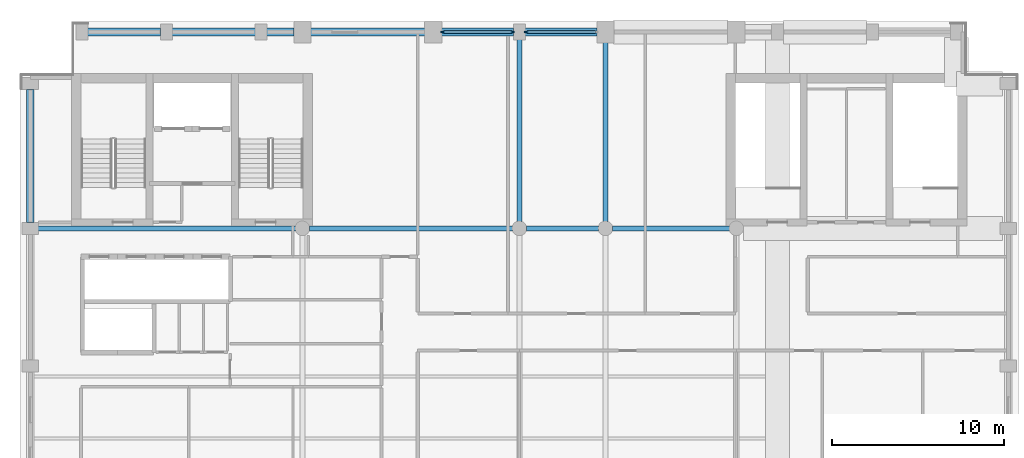
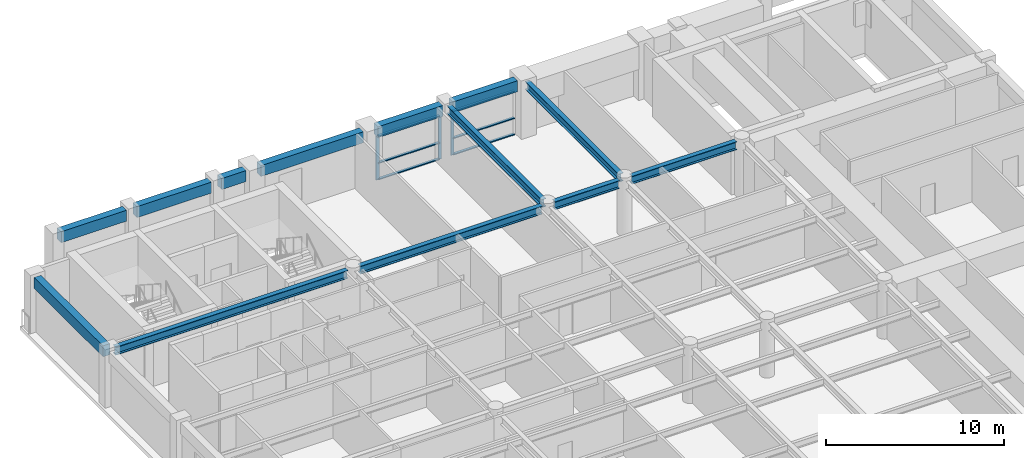
# One storey, part 5 of 14: 13 beams, 9 members, 2 elements without a shape of their own.
"""IFC4 building model written with IfcOpenShell, lengths in metres."""

from ifc_helpers import new_model, si_unit, direction, frame, origin, origin_2d, place, context, subcontext, project, spatial, rectangle, i_section, extrude, material, layer, layer_set, material_profile, profile_set, type_object, element, aggregate, save


model = new_model("IFC4")

# Units and contexts
model_context = context("Model", 3, precision=1e-05, world=origin(), true_north=direction((0.0, 1.0)))
body_context = subcontext(model_context, "Body", "Model", "MODEL_VIEW")
ifc_project = project(units=[si_unit("LENGTHUNIT", "METRE"), si_unit("AREAUNIT", "SQUARE_METRE"), si_unit("VOLUMEUNIT", "CUBIC_METRE"), si_unit("PLANEANGLEUNIT", "RADIAN"), si_unit("MASSUNIT", "GRAM", prefix="KILO")], contexts=[model_context])

# Site, building, storey
site_placement = place(None, origin())
site = spatial("IfcSite", under=ifc_project, at=site_placement, CompositionType="ELEMENT")
building_placement = place(site_placement, origin())
building = spatial("IfcBuilding", under=site, at=building_placement, Name="Sulina Concourse Tower", CompositionType="ELEMENT")
storey_placement = place(building_placement, frame((0.0, 0.0, 285.0)))
storey = spatial("IfcBuildingStorey", under=building, at=storey_placement, Name="L69", CompositionType="ELEMENT", Elevation=285.0)

# Beams
ifc_material_1 = material(Name="Steel S355", Category="steel")
ifc_material_profile_1 = material_profile(ifc_material_1, i_section(OverallWidth=0.300048828125, OverallDepth=0.550048828125, WebThickness=0.014892578125, FlangeThickness=0.029052734375, at=origin_2d()), Name="HE 550 B")
ifc_profile_set_1 = profile_set([ifc_material_profile_1], Name="Steel S355")
beam_type_1 = type_object("IfcBeamType", Name="Floor Primary Girder Zone 4 HE550B", PredefinedType="BEAM", material=ifc_profile_set_1)
beam_1_placement = place(storey_placement, frame((0.929931640625, 34.0, 3.5), z_axis=(1.0, 0.0, 0.0), x_axis=(0.0, 1.0, 0.0)))
element("IfcBeam", 1, at=beam_1_placement, inside=storey, type_object=beam_type_1, Name="FG-EWN1-L69", PredefinedType="BEAM", context=body_context, shape_type="SweptSolid", body=[
    extrude(i_section(OverallWidth=0.300048828125, OverallDepth=0.550048828125, WebThickness=0.014892578125, FlangeThickness=0.029052734375, at=origin_2d()), origin(), (0.0, 0.0, 1.0), 15.065185546875),
])
beam_2_placement = place(storey_placement, frame((16.804931640625, 34.0, 3.5), z_axis=(1.0, 0.0, 0.0), x_axis=(0.0, 1.0, 0.0)))
element("IfcBeam", 2, at=beam_2_placement, inside=storey, type_object=beam_type_1, Name="FG-EWN2-L69", PredefinedType="BEAM", context=body_context, shape_type="SweptSolid", body=[
    extrude(i_section(OverallWidth=0.300048828125, OverallDepth=0.550048828125, WebThickness=0.014892578125, FlangeThickness=0.029052734375, at=origin_2d()), origin(), (0.0, 0.0, 1.0), 11.7900390625),
])
beam_3_placement = place(storey_placement, frame((29.405029296875, 34.0, 3.5), z_axis=(1.0, 0.0, 0.0), x_axis=(0.0, 1.0, 0.0)))
element("IfcBeam", 3, at=beam_3_placement, inside=storey, type_object=beam_type_1, Name="FG-EWN3-L69", PredefinedType="BEAM", context=body_context, shape_type="SweptSolid", body=[
    extrude(i_section(OverallWidth=0.300048828125, OverallDepth=0.550048828125, WebThickness=0.014892578125, FlangeThickness=0.029052734375, at=origin_2d()), origin(), (0.0, 0.0, 1.0), 4.18994140625),
])
beam_4_placement = place(storey_placement, frame((34.405029296875, 34.0, 3.5), z_axis=(1.0, 0.0, 0.0), x_axis=(0.0, 1.0, 0.0)))
element("IfcBeam", 4, at=beam_4_placement, inside=storey, type_object=beam_type_1, Name="FG-EWN4-L69", PredefinedType="BEAM", context=body_context, shape_type="SweptSolid", body=[
    extrude(i_section(OverallWidth=0.300048828125, OverallDepth=0.550048828125, WebThickness=0.014892578125, FlangeThickness=0.029052734375, at=origin_2d()), origin(), (0.0, 0.0, 1.0), 6.7900390625),
])
beam_5_placement = place(storey_placement, frame((29.0, 34.405029296875, 3.5), z_axis=(0.0, 1.0, 0.0), x_axis=(-1.0, 0.0, 0.0)))
element("IfcBeam", 5, at=beam_5_placement, inside=storey, type_object=beam_type_1, Name="FG-NSC-29-L69", PredefinedType="BEAM", context=body_context, shape_type="SweptSolid", body=[
    extrude(i_section(OverallWidth=0.300048828125, OverallDepth=0.550048828125, WebThickness=0.014892578125, FlangeThickness=0.029052734375, at=origin_2d()), origin(), (0.0, 0.0, 1.0), 10.6650390625),
])
beam_6_placement = place(storey_placement, frame((34.0, 34.405029296875, 3.5), z_axis=(0.0, 1.0, 0.0), x_axis=(-1.0, 0.0, 0.0)))
element("IfcBeam", 6, at=beam_6_placement, inside=storey, type_object=beam_type_1, Name="FG-NSC-34-L69", PredefinedType="BEAM", context=body_context, shape_type="SweptSolid", body=[
    extrude(i_section(OverallWidth=0.300048828125, OverallDepth=0.550048828125, WebThickness=0.014892578125, FlangeThickness=0.029052734375, at=origin_2d()), origin(), (0.0, 0.0, 1.0), 10.514892578125),
])

# Curtain wall, members
ifc_material_2 = material(Name="Aluminium 6063-T6", Category="aluminium")
ifc_layer = layer(ifc_material_2, 0.22998046875)
ifc_layer_set = layer_set([ifc_layer], Name="Aluminium 6063-T6")
curtain_wall_type = type_object("IfcCurtainWallType", Name="Sky-Pool Wellness Lounge Curtain Wall System", PredefinedType="NOTDEFINED", material=ifc_layer_set)
curtain_wall_1_placement = place(storey_placement, origin())
curtain_wall_1 = element("IfcCurtainWall", 7, at=curtain_wall_1_placement, inside=storey, type_object=curtain_wall_type, Name="L69 glazed curtain wall N5", PredefinedType="NOTDEFINED")
ifc_material_3 = material(Name="Aluminium 6063-T6", Category="aluminium")
ifc_material_profile_2 = material_profile(ifc_material_3, rectangle(XDim=0.068115234375, YDim=0.2099609375, at=origin_2d()), Name="MUL 68x210")
ifc_profile_set_2 = profile_set([ifc_material_profile_2], Name="Aluminium 6063-T6")
member_type_1 = type_object("IfcMemberType", Name="Sky-Pool Wellness Lounge Curtain Wall System Mullion 68x210", PredefinedType="MULLION", material=ifc_profile_set_2)
member_1_placement = place(storey_placement, frame((24.553955078125, 45.39990234375, 0.0), z_axis=(0.0, 0.0, 1.0), x_axis=(0.0, 1.0, 0.0)))
member_1 = element("IfcMember", 8, at=member_1_placement, type_object=member_type_1, Name="CW-05 mullion 1", PredefinedType="MULLION", context=body_context, shape_type="SweptSolid", body=[
    extrude(rectangle(XDim=0.068115234375, YDim=0.2099609375, at=origin_2d()), origin(), (0.0, 0.0, 1.0), 3.02490234375),
])
member_2_placement = place(storey_placement, frame((28.595947265625, 45.39990234375, 0.0), z_axis=(0.0, 0.0, 1.0), x_axis=(0.0, 1.0, 0.0)))
member_2 = element("IfcMember", 9, at=member_2_placement, type_object=member_type_1, Name="CW-05 mullion 2", PredefinedType="MULLION", context=body_context, shape_type="SweptSolid", body=[
    extrude(rectangle(XDim=0.068115234375, YDim=0.2099609375, at=origin_2d()), origin(), (0.0, 0.0, 1.0), 3.02490234375),
])

# Curtain wall, member
curtain_wall_2_placement = place(storey_placement, origin())
curtain_wall_2 = element("IfcCurtainWall", 10, at=curtain_wall_2_placement, inside=storey, type_object=curtain_wall_type, Name="L69 glazed curtain wall N6", PredefinedType="NOTDEFINED")
member_3_placement = place(storey_placement, frame((29.404052734375, 45.39990234375, 0.0), z_axis=(0.0, 0.0, 1.0), x_axis=(0.0, 1.0, 0.0)))
member_3 = element("IfcMember", 11, at=member_3_placement, type_object=member_type_1, Name="CW-05 mullion 1", PredefinedType="MULLION", context=body_context, shape_type="SweptSolid", body=[
    extrude(rectangle(XDim=0.068115234375, YDim=0.2099609375, at=origin_2d()), origin(), (0.0, 0.0, 1.0), 3.02490234375),
])

# Member
ifc_material_4 = material(Name="Aluminium 6063-T6", Category="aluminium")
ifc_material_profile_3 = material_profile(ifc_material_4, rectangle(XDim=0.169921875, YDim=0.068115234375, at=origin_2d()), Name="TRN 68x170")
ifc_profile_set_3 = profile_set([ifc_material_profile_3], Name="Aluminium 6063-T6")
member_type_2 = type_object("IfcMemberType", Name="Sky-Pool Wellness Lounge Curtain Wall System Transom 68x170", PredefinedType="USERDEFINED", material=ifc_profile_set_3)
member_4_placement = place(storey_placement, frame((24.587890625, 45.39990234375, 0.033935546875), z_axis=(1.0, 0.0, 0.0), x_axis=(0.0, 1.0, 0.0)))
member_4 = element("IfcMember", 12, at=member_4_placement, type_object=member_type_2, Name="CW-05 transom 1.1", ObjectType="TRANSOM", PredefinedType="USERDEFINED", context=body_context, shape_type="SweptSolid", body=[
    extrude(rectangle(XDim=0.169921875, YDim=0.068115234375, at=origin_2d()), origin(), (0.0, 0.0, 1.0), 3.97412109375),
])

member_5_placement = place(storey_placement, frame((24.587890625, 45.39990234375, 1.1494140625), z_axis=(1.0, 0.0, 0.0), x_axis=(0.0, 1.0, 0.0)))
member_5 = element("IfcMember", 13, at=member_5_placement, type_object=member_type_2, Name="CW-05 transom 1.2", ObjectType="TRANSOM", PredefinedType="USERDEFINED", context=body_context, shape_type="SweptSolid", body=[
    extrude(rectangle(XDim=0.169921875, YDim=0.068115234375, at=origin_2d()), origin(), (0.0, 0.0, 1.0), 3.97412109375),
])

member_6_placement = place(storey_placement, frame((24.587890625, 45.39990234375, 2.990966796875), z_axis=(1.0, 0.0, 0.0), x_axis=(0.0, 1.0, 0.0)))
member_6 = element("IfcMember", 14, at=member_6_placement, type_object=member_type_2, Name="CW-05 transom 1.3", ObjectType="TRANSOM", PredefinedType="USERDEFINED", context=body_context, shape_type="SweptSolid", body=[
    extrude(rectangle(XDim=0.169921875, YDim=0.068115234375, at=origin_2d()), origin(), (0.0, 0.0, 1.0), 3.97412109375),
])

aggregate(curtain_wall_1, [member_1, member_2, member_4, member_5, member_6])

member_7_placement = place(storey_placement, frame((29.43798828125, 45.39990234375, 0.033935546875), z_axis=(1.0, 0.0, 0.0), x_axis=(0.0, 1.0, 0.0)))
member_7 = element("IfcMember", 15, at=member_7_placement, type_object=member_type_2, Name="CW-05 transom 1.1", ObjectType="TRANSOM", PredefinedType="USERDEFINED", context=body_context, shape_type="SweptSolid", body=[
    extrude(rectangle(XDim=0.169921875, YDim=0.068115234375, at=origin_2d()), origin(), (0.0, 0.0, 1.0), 3.97412109375),
])

member_8_placement = place(storey_placement, frame((29.43798828125, 45.39990234375, 1.1494140625), z_axis=(1.0, 0.0, 0.0), x_axis=(0.0, 1.0, 0.0)))
member_8 = element("IfcMember", 16, at=member_8_placement, type_object=member_type_2, Name="CW-05 transom 1.2", ObjectType="TRANSOM", PredefinedType="USERDEFINED", context=body_context, shape_type="SweptSolid", body=[
    extrude(rectangle(XDim=0.169921875, YDim=0.068115234375, at=origin_2d()), origin(), (0.0, 0.0, 1.0), 3.97412109375),
])

member_9_placement = place(storey_placement, frame((29.43798828125, 45.39990234375, 2.990966796875), z_axis=(1.0, 0.0, 0.0), x_axis=(0.0, 1.0, 0.0)))
member_9 = element("IfcMember", 17, at=member_9_placement, type_object=member_type_2, Name="CW-05 transom 1.3", ObjectType="TRANSOM", PredefinedType="USERDEFINED", context=body_context, shape_type="SweptSolid", body=[
    extrude(rectangle(XDim=0.169921875, YDim=0.068115234375, at=origin_2d()), origin(), (0.0, 0.0, 1.0), 3.97412109375),
])

aggregate(curtain_wall_2, [member_3, member_7, member_8, member_9])

# Beams
ifc_material_5 = material(Name="Precast concrete C50/60", Category="concrete")
ifc_material_profile_4 = material_profile(ifc_material_5, rectangle(XDim=0.449951171875, YDim=0.75, at=origin_2d()), Name="RC 450x750")
ifc_profile_set_4 = profile_set([ifc_material_profile_4], Name="Precast concrete C50/60")
beam_type_2 = type_object("IfcBeamType", Name="Upper Precast Spandrel Edge Beam 450x750", PredefinedType="BEAM", material=ifc_profile_set_4)
beam_7_placement = place(storey_placement, frame((3.929931640625, 45.39990234375, 3.39990234375), z_axis=(1.0, 0.0, 0.0), x_axis=(0.0, 1.0, 0.0)))
element("IfcBeam", 18, at=beam_7_placement, inside=storey, type_object=beam_type_2, Name="SP-N1-L69", PredefinedType="BEAM", context=body_context, shape_type="SweptSolid", body=[
    extrude(rectangle(XDim=0.449951171875, YDim=0.75, at=origin_2d()), origin(), (0.0, 0.0, 1.0), 4.239990234375),
])
beam_8_placement = place(storey_placement, frame((8.830078125, 45.39990234375, 3.39990234375), z_axis=(1.0, 0.0, 0.0), x_axis=(0.0, 1.0, 0.0)))
element("IfcBeam", 19, at=beam_8_placement, inside=storey, type_object=beam_type_2, Name="SP-N2-L69", PredefinedType="BEAM", context=body_context, shape_type="SweptSolid", body=[
    extrude(rectangle(XDim=0.449951171875, YDim=0.75, at=origin_2d()), origin(), (0.0, 0.0, 1.0), 4.83984375),
])
beam_9_placement = place(storey_placement, frame((14.330078125, 45.39990234375, 3.39990234375), z_axis=(1.0, 0.0, 0.0), x_axis=(0.0, 1.0, 0.0)))
element("IfcBeam", 20, at=beam_9_placement, inside=storey, type_object=beam_type_2, Name="SP-N3-L69", PredefinedType="BEAM", context=body_context, shape_type="SweptSolid", body=[
    extrude(rectangle(XDim=0.449951171875, YDim=0.75, at=origin_2d()), origin(), (0.0, 0.0, 1.0), 1.58984375),
])
beam_10_placement = place(storey_placement, frame((16.8798828125, 45.39990234375, 3.39990234375), z_axis=(1.0, 0.0, 0.0), x_axis=(0.0, 1.0, 0.0)))
element("IfcBeam", 21, at=beam_10_placement, inside=storey, type_object=beam_type_2, Name="SP-N4-L69", PredefinedType="BEAM", context=body_context, shape_type="SweptSolid", body=[
    extrude(rectangle(XDim=0.449951171875, YDim=0.75, at=origin_2d()), origin(), (0.0, 0.0, 1.0), 6.64013671875),
])
for number, where, z_axis, x_axis, name in (
    (22, (24.47998046875, 45.39990234375, 3.39990234375), (1.0, 0.0, 0.0), (0.0, 1.0, 0.0), "SP-N5-L69"),
    (23, (29.330078125, 45.39990234375, 3.39990234375), (1.0, 0.0, 0.0), (0.0, 1.0, 0.0), "SP-N6-L69"),
):
    element("IfcBeam", number, at=place(storey_placement, frame(where, z_axis=z_axis, x_axis=x_axis)), inside=storey, type_object=beam_type_2, Name=name, PredefinedType="BEAM", context=body_context, shape_type="SweptSolid", body=[
        extrude(rectangle(XDim=0.449951171875, YDim=0.75, at=origin_2d()), origin(), (0.0, 0.0, 1.0), 4.18994140625),
    ])
beam_11_placement = place(storey_placement, frame((0.60009765625, 34.330078125, 3.39990234375), z_axis=(0.0, 1.0, 0.0), x_axis=(-1.0, 0.0, 0.0)))
element("IfcBeam", 24, at=beam_11_placement, inside=storey, type_object=beam_type_2, Name="SP-W5-L69", PredefinedType="BEAM", context=body_context, shape_type="SweptSolid", body=[
    extrude(rectangle(XDim=0.449951171875, YDim=0.75, at=origin_2d()), origin(), (0.0, 0.0, 1.0), 7.739990234375),
])

save(model, "model.ifc")
